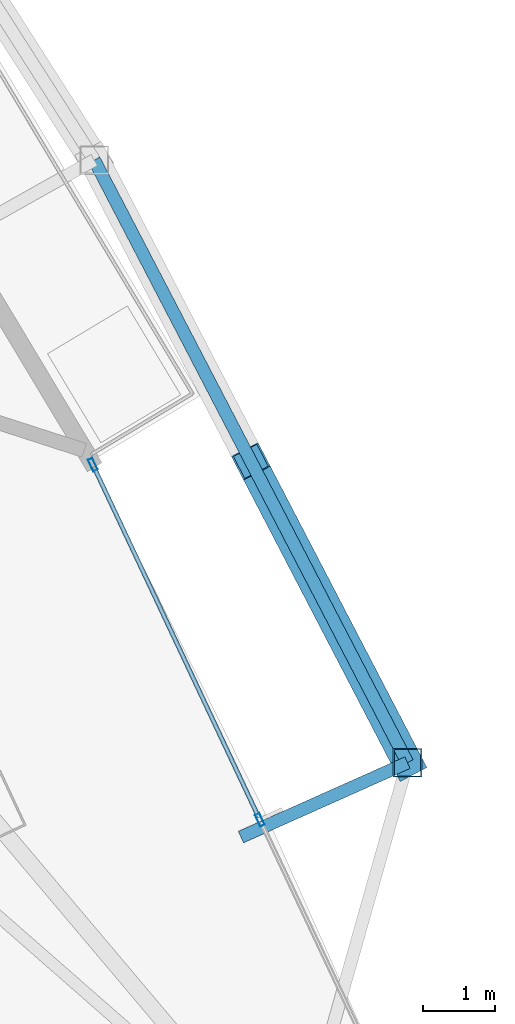
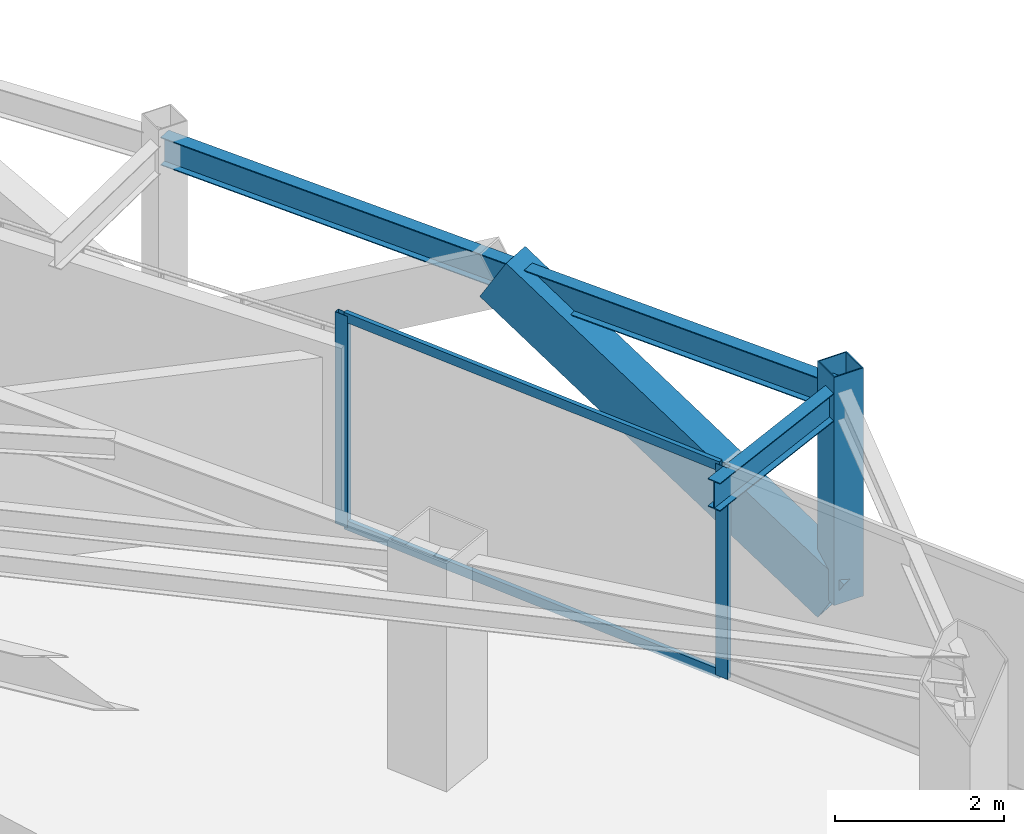
# One storey, part 18 of 31: 6 members, 2 beams, 1 element without a shape of its own.
"""IFC4 building model written with IfcOpenShell, lengths in metres."""

from ifc_helpers import new_model, si_unit, direction, frame, origin, origin_2d, place, context, subcontext, project, spatial, hollow_rectangle, i_section, extrude, material, layer, layer_set, material_profile, profile_set, type_object, element, aggregate, save


model = new_model("IFC4")

# Units and contexts
model_context = context("Model", 3, precision=1e-05, world=origin(), true_north=direction((0.0, 1.0)))
body_context = subcontext(model_context, "Body", "Model", "MODEL_VIEW")
ifc_project = project(units=[si_unit("LENGTHUNIT", "METRE"), si_unit("AREAUNIT", "SQUARE_METRE"), si_unit("VOLUMEUNIT", "CUBIC_METRE"), si_unit("PLANEANGLEUNIT", "RADIAN"), si_unit("MASSUNIT", "GRAM", prefix="KILO")], contexts=[model_context])

# Site, building, storey
site_placement = place(None, origin())
site = spatial("IfcSite", under=ifc_project, at=site_placement, CompositionType="ELEMENT")
building_placement = place(site_placement, origin())
building = spatial("IfcBuilding", under=site, at=building_placement, Name="Orvanel Arch Residences", CompositionType="ELEMENT")
storey_placement = place(building_placement, frame((0.0, 0.0, 150.64990234375)))
storey = spatial("IfcBuildingStorey", under=building, at=storey_placement, Name="L42", CompositionType="ELEMENT", Elevation=150.64990234375)

# Member
ifc_material_1 = material(Name="Structural steel AS/NZS 3678 Grade 350", Category="steel")
ifc_material_profile_1 = material_profile(ifc_material_1, hollow_rectangle(XDim=0.419921875, YDim=0.719970703125, WallThickness=0.02490234375, at=origin_2d()), Name="RHS720x420x25")
ifc_profile_set_1 = profile_set([ifc_material_profile_1], Name="Structural steel AS/NZS 3678 Grade 350")
member_type_1 = type_object("IfcMemberType", Name="BR-720RHS-EXT", PredefinedType="BRACE", material=ifc_profile_set_1)
member_1_placement = place(storey_placement, frame((55.528076171875, 20.31298828125, 0.0), z_axis=(-0.395229461548, 0.760236271149, 0.515591393211), x_axis=(-0.887261415094, -0.461266930622, 0.0)))
element("IfcMember", 1, at=member_1_placement, inside=storey, type_object=member_type_1, Name="L42 Exterior Sky-Garden V-Frame Chevron F3B1.1", PredefinedType="BRACE", context=body_context, shape_type="SweptSolid", body=[
    extrude(hollow_rectangle(XDim=0.419921875, YDim=0.719970703125, WallThickness=0.02490234375, at=origin_2d()), origin(), (0.0, 0.0, 1.0), 5.54150390625),
])

# Curtain wall, members
ifc_material_2 = material(Name="Bronze-anodised aluminium AA6063-T6", Category="aluminium")
ifc_layer = layer(ifc_material_2, 0.179931640625)
ifc_layer_set = layer_set([ifc_layer], Name="Bronze-anodised aluminium AA6063-T6")
curtain_wall_type = type_object("IfcCurtainWallType", Name="CW3-MID-SYS", PredefinedType="NOTDEFINED", material=ifc_layer_set)
curtain_wall_placement = place(storey_placement, origin())
curtain_wall = element("IfcCurtainWall", 2, at=curtain_wall_placement, inside=storey, type_object=curtain_wall_type, Name="L42 CW3-MID-SYS Unitised Curtain Wall", PredefinedType="NOTDEFINED")
ifc_material_profile_2 = material_profile(ifc_material_2, hollow_rectangle(XDim=0.070068359375, YDim=0.179931640625, WallThickness=0.00439453125, at=origin_2d()), Name="ALU180x70x4.5")
ifc_profile_set_2 = profile_set([ifc_material_profile_2], Name="Bronze-anodised aluminium AA6063-T6")
member_type_2 = type_object("IfcMemberType", Name="MUL-180x70", PredefinedType="MULLION", material=ifc_profile_set_2)
member_2_placement = place(storey_placement, frame((53.464111328125, 19.514404296875, 0.0), z_axis=(0.0, 0.0, 1.0), x_axis=(-0.90490897961, -0.425605144026, 0.0)))
member_2 = element("IfcMember", 3, at=member_2_placement, type_object=member_type_2, Name="CW-S3 mullion 2", PredefinedType="MULLION", context=body_context, shape_type="SweptSolid", body=[
    extrude(hollow_rectangle(XDim=0.070068359375, YDim=0.179931640625, WallThickness=0.00439453125, at=origin_2d()), origin(), (0.0, 0.0, 1.0), 3.06005859375),
])
member_3_placement = place(storey_placement, frame((51.12890625, 24.479248046875, 0.0), z_axis=(0.0, 0.0, 1.0), x_axis=(-0.90490897961, -0.425605144026, 0.0)))
member_3 = element("IfcMember", 4, at=member_3_placement, type_object=member_type_2, Name="CW-S3 mullion 3", PredefinedType="MULLION", context=body_context, shape_type="SweptSolid", body=[
    extrude(hollow_rectangle(XDim=0.070068359375, YDim=0.179931640625, WallThickness=0.00439453125, at=origin_2d()), origin(), (0.0, 0.0, 1.0), 3.06005859375),
])

# Beams
ifc_material_3 = material(Name="Structural steel AS/NZS 3679.1 Grade 300 (300 MPa)", Category="steel")
ifc_material_profile_3 = material_profile(ifc_material_3, i_section(OverallWidth=0.177978515625, OverallDepth=0.406005859375, WebThickness=0.0078125, FlangeThickness=0.0126953125, at=origin_2d()), Name="410UB59.7")
ifc_profile_set_3 = profile_set([ifc_material_profile_3], Name="Structural steel AS/NZS 3679.1 Grade 300 (300 MPa)")
beam_type = type_object("IfcBeamType", Name="OB-410UB-EXT", PredefinedType="SPANDREL", material=ifc_profile_set_3)
beam_1_placement = place(storey_placement, frame((53.198974609375, 19.27294921875, 2.857177734375), z_axis=(0.913099705306, 0.407736346394, 0.0), x_axis=(-0.407736346394, 0.913099705306, 0.0)))
element("IfcBeam", 5, at=beam_1_placement, inside=storey, type_object=beam_type, Name="L42 Outer Frame Radial Tie Beam 09", PredefinedType="SPANDREL", context=body_context, shape_type="SweptSolid", body=[
    extrude(i_section(OverallWidth=0.177978515625, OverallDepth=0.406005859375, WebThickness=0.0078125, FlangeThickness=0.0126953125, at=origin_2d()), origin(), (0.0, 0.0, 1.0), 2.55078125),
])
beam_2_placement = place(storey_placement, frame((55.528076171875, 20.31298828125, 2.857177734375), z_axis=(-0.461197291391, 0.887297615467, 0.0), x_axis=(-0.887297615467, -0.461197291391, 0.0)))
element("IfcBeam", 6, at=beam_2_placement, inside=storey, type_object=beam_type, Name="L42 Outer Perimeter Floor Ring Beam 09", PredefinedType="SPANDREL", context=body_context, shape_type="SweptSolid", body=[
    extrude(i_section(OverallWidth=0.177978515625, OverallDepth=0.406005859375, WebThickness=0.0078125, FlangeThickness=0.0126953125, at=origin_2d()), origin(), (0.0, 0.0, 1.0), 9.4951171875),
])

# Member
ifc_material_4 = material(Name="Structural steel AS/NZS 1163 C450L0 (Grade 450)", Category="steel")
ifc_material_profile_4 = material_profile(ifc_material_4, hollow_rectangle(XDim=0.39990234375, YDim=0.39990234375, WallThickness=0.01611328125, at=origin_2d()), Name="SHS400x400x16")
ifc_profile_set_4 = profile_set([ifc_material_profile_4], Name="Structural steel AS/NZS 1163 C450L0 (Grade 450)")
member_type_3 = type_object("IfcMemberType", Name="ST-400SHS-EXT", PredefinedType="STRUT", material=ifc_profile_set_4)
member_4_placement = place(storey_placement, frame((55.528076171875, 20.31298828125, 0.0), z_axis=(0.0, 0.0, 1.0), x_axis=(1.0, 0.0, 0.0)))
element("IfcMember", 7, at=member_4_placement, inside=storey, type_object=member_type_3, Name="L42 Outer Perimeter Frame Post 09", PredefinedType="STRUT", context=body_context, shape_type="SweptSolid", body=[
    extrude(hollow_rectangle(XDim=0.39990234375, YDim=0.39990234375, WallThickness=0.01611328125, at=origin_2d()), origin(), (0.0, 0.0, 1.0), 3.300048828125),
])

ifc_material_profile_5 = material_profile(ifc_material_2, hollow_rectangle(XDim=0.06005859375, YDim=0.135009765625, WallThickness=0.00390625, at=origin_2d()), Name="ALU135x60x4")
ifc_profile_set_5 = profile_set([ifc_material_profile_5], Name="Bronze-anodised aluminium AA6063-T6")
member_type_4 = type_object("IfcMemberType", Name="TRN-135x60", PredefinedType="USERDEFINED", material=ifc_profile_set_5)
member_5_placement = place(storey_placement, frame((53.44921875, 19.546142578125, 0.030029296875), z_axis=(-0.425612526975, 0.904905507156, 0.0), x_axis=(-0.904905507156, -0.425612526975, 0.0)))
member_5 = element("IfcMember", 8, at=member_5_placement, type_object=member_type_4, Name="CW-S3 transom 2.1", ObjectType="TRANSOM", PredefinedType="USERDEFINED", context=body_context, shape_type="SweptSolid", body=[
    extrude(hollow_rectangle(XDim=0.06005859375, YDim=0.135009765625, WallThickness=0.00390625, at=origin_2d()), origin(), (0.0, 0.0, 1.0), 5.416748046875),
])

member_6_placement = place(storey_placement, frame((53.44921875, 19.546142578125, 3.030029296875), z_axis=(-0.425612526975, 0.904905507156, 0.0), x_axis=(-0.904905507156, -0.425612526975, 0.0)))
member_6 = element("IfcMember", 9, at=member_6_placement, type_object=member_type_4, Name="CW-S3 transom 2.2", ObjectType="TRANSOM", PredefinedType="USERDEFINED", context=body_context, shape_type="SweptSolid", body=[
    extrude(hollow_rectangle(XDim=0.06005859375, YDim=0.135009765625, WallThickness=0.00390625, at=origin_2d()), origin(), (0.0, 0.0, 1.0), 5.416748046875),
])

aggregate(curtain_wall, [member_2, member_3, member_5, member_6])

save(model, "model.ifc")
